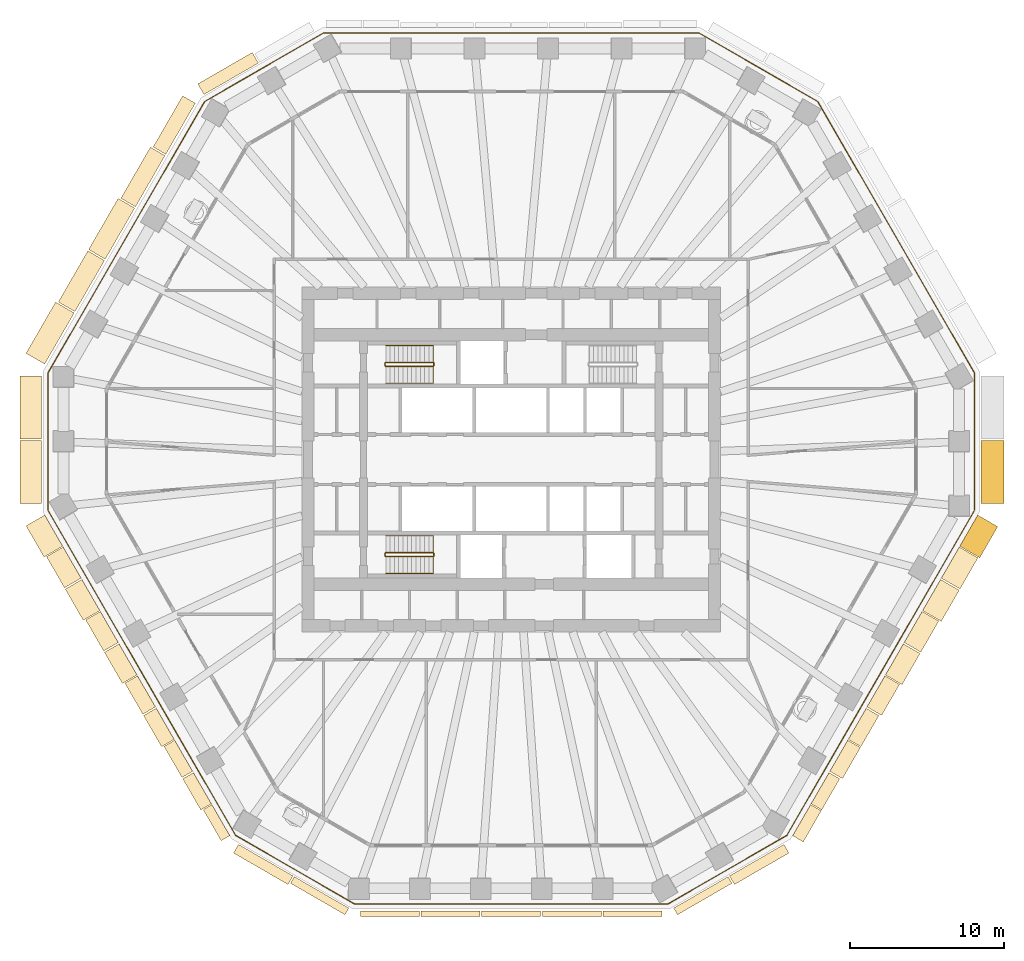
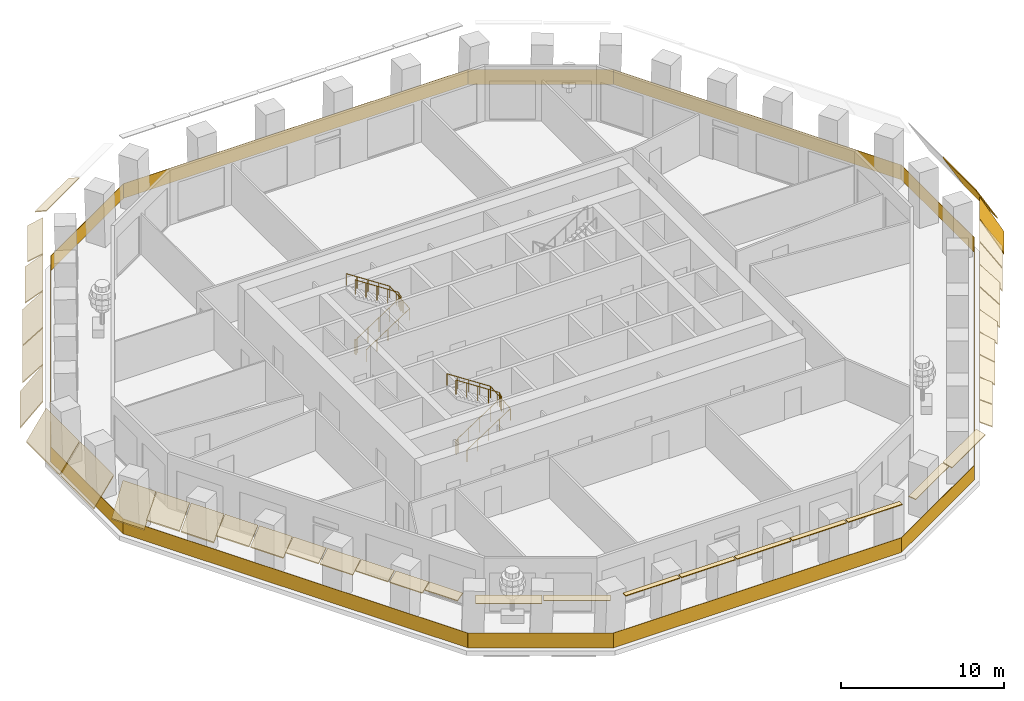
# One storey, part 10 of 13: 38 coverings, 5 railings.
"""IFC4 building model written with IfcOpenShell, lengths in metres."""

from ifc_helpers import new_model, si_unit, direction, frame, origin, origin_2d, place, context, subcontext, project, spatial, polyline, rectangle, circle, outline, extrude, material, layer, layer_set, type_object, element, save


model = new_model("IFC4")

# Units and contexts
model_context = context("Model", 3, precision=1e-05, world=origin(), true_north=direction((0.0, 1.0)))
body_context = subcontext(model_context, "Body", "Model", "MODEL_VIEW")
ifc_project = project(units=[si_unit("LENGTHUNIT", "METRE"), si_unit("AREAUNIT", "SQUARE_METRE"), si_unit("VOLUMEUNIT", "CUBIC_METRE"), si_unit("PLANEANGLEUNIT", "RADIAN"), si_unit("MASSUNIT", "GRAM", prefix="KILO")], contexts=[model_context])

# Site, building, storey
site_placement = place(None, origin())
site = spatial("IfcSite", under=ifc_project, at=site_placement, CompositionType="ELEMENT")
building_placement = place(site_placement, origin())
building = spatial("IfcBuilding", under=site, at=building_placement, Name="Frailejon Research Tower", CompositionType="ELEMENT")
storey_placement = place(building_placement, frame((0.0, 0.0, 117.60009765625)))
storey = spatial("IfcBuildingStorey", under=building, at=storey_placement, Name="L25", CompositionType="ELEMENT", Elevation=117.60009765625)

# Coverings
ifc_material_1 = material(Name="Precast concrete C50/60", Category="concrete")
ifc_layer_1 = layer(ifc_material_1, 0.06005859375)
ifc_layer_set_1 = layer_set([ifc_layer_1], Name="Brim blade depth 1100")
covering_type_1 = type_object("IfcCoveringType", Name="Brim blade depth 1100", PredefinedType="CLADDING", material=ifc_layer_set_1)
covering_1_placement = place(storey_placement, frame((-24.405029296875, 16.418701171875, 4.25), z_axis=(0.499989508112, 0.866031461194, 0.0), x_axis=(-0.866031461194, 0.499989508112, 0.0)))
element("IfcCovering", 1, at=covering_1_placement, inside=storey, type_object=covering_type_1, Name="Brim blade L25", PredefinedType="CLADDING", context=body_context, shape_type="SweptSolid", body=[
    extrude(outline(polyline([(0.0, -0.078369140625), (1.10009765625, -1.001220703125), (1.10009765625, -0.923095703125), (0.0, 0.0), (0.0, -0.078369140625)])), origin(), (0.0, 0.0, 1.0), 3.8330078125),
])
for number, where, z_axis, x_axis, name in (
    (2, (-25.5244140625, -11.890380859375, 4.25), (-0.500000242028, 0.866025264049, 0.0), (-0.866025264049, -0.500000242028, 0.0), "Brim blade L25"),
    (3, (-24.306884765625, -13.9990234375, 4.25), (-0.500009207024, 0.866020088041, 0.0), (-0.866020088041, -0.500009207024, 0.0), "Brim blade L25"),
    (4, (24.277099609375, -14.051025390625, 4.25), (-0.500009207024, -0.866020088041, 0.0), (0.866020088041, -0.500009207024, 0.0), "Brim blade L25"),
):
    element("IfcCovering", number, at=place(storey_placement, frame(where, z_axis=z_axis, x_axis=x_axis)), inside=storey, type_object=covering_type_1, Name=name, PredefinedType="CLADDING", context=body_context, shape_type="SweptSolid", body=[
        extrude(outline(polyline([(0.0, -0.078369140625), (1.10009765625, -1.001220703125), (1.10009765625, -0.923095703125), (0.0, 0.0), (0.0, -0.078369140625)])), origin(), (0.0, 0.0, 1.0), 2.3349609375),
    ])
ifc_material_2 = material(Name="Precast concrete C50/60", Category="concrete")
ifc_layer_2 = layer(ifc_material_2, 0.06005859375)
ifc_layer_set_2 = layer_set([ifc_layer_2], Name="Brim blade depth 1250")
covering_type_2 = type_object("IfcCoveringType", Name="Brim blade depth 1250", PredefinedType="CLADDING", material=ifc_layer_set_2)
for number, where, z_axis, x_axis, name in (
    (5, (-26.37158203125, 13.0126953125, 4.25), (0.500008578094, 0.866020451163, 0.0), (-0.866020451163, 0.500008578094, 0.0), "Brim blade L25"),
    (6, (-28.337890625, 9.606689453125, 4.25), (0.499997567955, 0.866026807922, 0.0), (-0.866026807922, 0.499997567955, 0.0), "Brim blade L25"),
):
    element("IfcCovering", number, at=place(storey_placement, frame(where, z_axis=z_axis, x_axis=x_axis)), inside=storey, type_object=covering_type_2, Name=name, PredefinedType="CLADDING", context=body_context, shape_type="SweptSolid", body=[
        extrude(outline(polyline([(0.0, -0.0888671875), (1.25, -1.452880859375), (1.25, -1.364013671875), (0.0, 0.0), (0.0, -0.0888671875)])), origin(), (0.0, 0.0, 1.0), 3.8330078125),
    ])
for number, where, z_axis, x_axis, name in (
    (7, (-27.939453125, -7.70751953125, 4.25), (-0.499984713992, 0.866034228986, 0.0), (-0.866034228986, -0.499984713992, 0.0), "Brim blade L25"),
    (8, (-26.721923828125, -9.816162109375, 4.25), (-0.500000242028, 0.866025264049, 0.0), (-0.866025264049, -0.500000242028, 0.0), "Brim blade L25"),
    (9, (25.474609375, -11.976806640625, 4.25), (-0.500009207024, -0.866020088041, 0.0), (0.866020088041, -0.500009207024, 0.0), "Brim blade L25"),
    (10, (26.69189453125, -9.8681640625, 4.25), (-0.500000242028, -0.866025264049, 0.0), (0.866025264049, -0.500000242028, 0.0), "Brim blade L25"),
):
    element("IfcCovering", number, at=place(storey_placement, frame(where, z_axis=z_axis, x_axis=x_axis)), inside=storey, type_object=covering_type_2, Name=name, PredefinedType="CLADDING", context=body_context, shape_type="SweptSolid", body=[
        extrude(outline(polyline([(0.0, -0.0888671875), (1.25, -1.452880859375), (1.25, -1.364013671875), (0.0, 0.0), (0.0, -0.0888671875)])), origin(), (0.0, 0.0, 1.0), 2.3349609375),
    ])
ifc_material_3 = material(Name="Precast concrete C50/60", Category="concrete")
ifc_layer_3 = layer(ifc_material_3, 0.06005859375)
ifc_layer_set_3 = layer_set([ifc_layer_3], Name="Brim blade depth 1400")
covering_type_3 = type_object("IfcCoveringType", Name="Brim blade depth 1400", PredefinedType="CLADDING", material=ifc_layer_set_3)
covering_2_placement = place(storey_placement, frame((-30.304443359375, 6.20068359375, 4.25), z_axis=(0.499989508112, 0.866031461194, 0.0), x_axis=(-0.866031461194, 0.499989508112, 0.0)))
element("IfcCovering", 11, at=covering_2_placement, inside=storey, type_object=covering_type_3, Name="Brim blade L25", PredefinedType="CLADDING", context=body_context, shape_type="SweptSolid", body=[
    extrude(outline(polyline([(0.0, -0.1044921875), (1.39990234375, -2.10400390625), (1.39990234375, -1.99951171875), (0.0, 0.0), (0.0, -0.1044921875)])), origin(), (0.0, 0.0, 1.0), 3.8330078125),
])
covering_3_placement = place(storey_placement, frame((-30.51025390625, 1.3447265625, 4.25), z_axis=(0.0, 1.0, 0.0), x_axis=(-1.0, 0.0, 0.0)))
element("IfcCovering", 12, at=covering_3_placement, inside=storey, type_object=covering_type_3, Name="Brim blade L25", PredefinedType="CLADDING", context=body_context, shape_type="SweptSolid", body=[
    extrude(outline(polyline([(0.0, -0.1044921875), (1.39990234375, -2.10400390625), (1.39990234375, -1.99951171875), (0.0, 0.0), (0.0, -0.1044921875)])), origin(), (0.0, 0.0, 1.0), 4.08740234375),
])
covering_4_placement = place(storey_placement, frame((-30.51025390625, -2.8427734375, 4.25), z_axis=(0.0, 1.0, 0.0), x_axis=(-1.0, 0.0, 0.0)))
element("IfcCovering", 13, at=covering_4_placement, inside=storey, type_object=covering_type_3, Name="Brim blade L25", PredefinedType="CLADDING", context=body_context, shape_type="SweptSolid", body=[
    extrude(outline(polyline([(0.0, -0.1044921875), (1.39990234375, -2.10400390625), (1.39990234375, -1.99951171875), (0.0, 0.0), (0.0, -0.1044921875)])), origin(), (0.0, 0.0, 1.0), 4.087646484375),
])
for number, where, z_axis, x_axis, name in (
    (14, (-29.136962890625, -5.63330078125, 4.25), (-0.499984713992, 0.866034228986, 0.0), (-0.866034228986, -0.499984713992, 0.0), "Brim blade L25"),
    (15, (27.889404296875, -7.7939453125, 4.25), (-0.500000242028, -0.866025264049, 0.0), (0.866025264049, -0.500000242028, 0.0), "Brim blade L25"),
    (16, (29.10693359375, -5.685302734375, 4.25), (-0.499984713992, -0.866034228986, 0.0), (0.866034228986, -0.499984713992, 0.0), "Brim blade L25"),
):
    element("IfcCovering", number, at=place(storey_placement, frame(where, z_axis=z_axis, x_axis=x_axis)), inside=storey, type_object=covering_type_3, Name=name, PredefinedType="CLADDING", context=body_context, shape_type="SweptSolid", body=[
        extrude(outline(polyline([(0.0, -0.1044921875), (1.39990234375, -2.10400390625), (1.39990234375, -1.99951171875), (0.0, 0.0), (0.0, -0.1044921875)])), origin(), (0.0, 0.0, 1.0), 2.3349609375),
    ])
ifc_material_4 = material(Name="Precast concrete C50/60", Category="concrete")
ifc_layer_4 = layer(ifc_material_4, 0.06005859375)
ifc_layer_set_4 = layer_set([ifc_layer_4], Name="Brim blade depth 1500")
covering_type_4 = type_object("IfcCoveringType", Name="Brim blade depth 1500", PredefinedType="CLADDING", material=ifc_layer_set_4)
covering_5_placement = place(storey_placement, frame((30.51025390625, 1.244873046875, 4.25), z_axis=(0.0, -1.0, 0.0), x_axis=(1.0, 0.0, 0.0)))
element("IfcCovering", 17, at=covering_5_placement, inside=storey, type_object=covering_type_4, Name="Brim blade L25", PredefinedType="CLADDING", context=body_context, shape_type="SweptSolid", body=[
    extrude(outline(polyline([(0.0, -0.1201171875), (1.5, -2.718017578125), (1.5, -2.59814453125), (0.0, 0.0), (0.0, -0.1201171875)])), origin(), (0.0, 0.0, 1.0), 4.087646484375),
])
covering_6_placement = place(storey_placement, frame((30.304443359375, -3.611083984375, 4.25), z_axis=(-0.499984713992, -0.866034228986, 0.0), x_axis=(0.866034228986, -0.499984713992, 0.0)))
element("IfcCovering", 18, at=covering_6_placement, inside=storey, type_object=covering_type_4, Name="Brim blade L25", PredefinedType="CLADDING", context=body_context, shape_type="SweptSolid", body=[
    extrude(outline(polyline([(0.0, -0.1201171875), (1.5, -2.718017578125), (1.5, -2.59814453125), (0.0, 0.0), (0.0, -0.1201171875)])), origin(), (0.0, 0.0, 1.0), 2.3349609375),
])
ifc_material_5 = material(Name="Precast concrete C50/60", Category="concrete")
ifc_layer_5 = layer(ifc_material_5, 0.06005859375)
ifc_layer_set_5 = layer_set([ifc_layer_5], Name="Brim blade depth 350")
covering_type_5 = type_object("IfcCoveringType", Name="Brim blade depth 350", PredefinedType="CLADDING", material=ifc_layer_set_5)
for number, where, z_axis, x_axis, name in (
    (19, (-5.949462890625, -29.3447265625, 4.25), (-1.0, 0.0, 0.0), (0.0, -1.0, 0.0), "Brim blade L25"),
    (20, (-2.0166015625, -29.3447265625, 4.25), (-1.0, 0.0, 0.0), (0.0, -1.0, 0.0), "Brim blade L25"),
    (21, (1.91650390625, -29.3447265625, 4.25), (-1.0, 0.0, 0.0), (0.0, -1.0, 0.0), "Brim blade L25"),
    (22, (5.849365234375, -29.3447265625, 4.25), (-1.0, 0.0, 0.0), (0.0, -1.0, 0.0), "Brim blade L25"),
    (23, (9.7822265625, -29.3447265625, 4.25), (-1.0, 0.0, 0.0), (0.0, -1.0, 0.0), "Brim blade L25"),
):
    element("IfcCovering", number, at=place(storey_placement, frame(where, z_axis=z_axis, x_axis=x_axis)), inside=storey, type_object=covering_type_5, Name=name, PredefinedType="CLADDING", context=body_context, shape_type="SweptSolid", body=[
        extrude(outline(polyline([(0.0, -0.06005859375), (0.35009765625, -0.06005859375), (0.35009765625, 0.0), (0.0, 0.0), (0.0, -0.06005859375)])), origin(), (0.0, 0.0, 1.0), 3.8330078125),
    ])
ifc_material_6 = material(Name="Precast concrete C50/60", Category="concrete")
ifc_layer_6 = layer(ifc_material_6, 0.06005859375)
ifc_layer_set_6 = layer_set([ifc_layer_6], Name="Brim blade depth 500")
covering_type_6 = type_object("IfcCoveringType", Name="Brim blade depth 500", PredefinedType="CLADDING", material=ifc_layer_set_6)
for number, where, z_axis, x_axis, name in (
    (24, (-10.550537109375, -29.138916015625, 4.25), (-0.866027315287, 0.499996689166, 0.0), (-0.499996689166, -0.866027315287, 0.0), "Brim blade L25"),
    (25, (14.090576171875, -27.09521484375, 4.25), (-0.866027315287, -0.499996689166, 0.0), (0.499996689166, -0.866027315287, 0.0), "Brim blade L25"),
):
    element("IfcCovering", number, at=place(storey_placement, frame(where, z_axis=z_axis, x_axis=x_axis)), inside=storey, type_object=covering_type_6, Name=name, PredefinedType="CLADDING", context=body_context, shape_type="SweptSolid", body=[
        extrude(outline(polyline([(0.0, -0.060546875), (0.5, -0.130859375), (0.5, -0.0703125), (0.0, 0.0), (0.0, -0.060546875)])), origin(), (0.0, 0.0, 1.0), 4.087646484375),
    ])
ifc_material_7 = material(Name="Precast concrete C50/60", Category="concrete")
ifc_layer_7 = layer(ifc_material_7, 0.06005859375)
ifc_layer_set_7 = layer_set([ifc_layer_7], Name="Brim blade depth 650")
covering_type_7 = type_object("IfcCoveringType", Name="Brim blade depth 650", PredefinedType="CLADDING", material=ifc_layer_set_7)
covering_7_placement = place(storey_placement, frame((-18.279541015625, -24.43896484375, 4.25), z_axis=(-0.500000242028, 0.866025264049, 0.0), x_axis=(-0.866025264049, -0.500000242028, 0.0)))
element("IfcCovering", 26, at=covering_7_placement, inside=storey, type_object=covering_type_7, Name="Brim blade L25", PredefinedType="CLADDING", context=body_context, shape_type="SweptSolid", body=[
    extrude(outline(polyline([(0.0, -0.0625), (0.64990234375, -0.248779296875), (0.64990234375, -0.186279296875), (0.0, 0.0), (0.0, -0.0625)])), origin(), (0.0, 0.0, 1.0), 2.3349609375),
])
for number, where, z_axis, x_axis, name in (
    (27, (-14.17724609375, -27.045166015625, 4.25), (-0.866021344981, 0.500007029989, 0.0), (-0.500007029989, -0.866021344981, 0.0), "Brim blade L25"),
    (28, (17.717041015625, -25.001220703125, 4.25), (-0.866021344981, -0.500007029989, 0.0), (0.500007029989, -0.866021344981, 0.0), "Brim blade L25"),
):
    element("IfcCovering", number, at=place(storey_placement, frame(where, z_axis=z_axis, x_axis=x_axis)), inside=storey, type_object=covering_type_7, Name=name, PredefinedType="CLADDING", context=body_context, shape_type="SweptSolid", body=[
        extrude(outline(polyline([(0.0, -0.0625), (0.64990234375, -0.248779296875), (0.64990234375, -0.186279296875), (0.0, 0.0), (0.0, -0.0625)])), origin(), (0.0, 0.0, 1.0), 4.08740234375),
    ])
ifc_material_8 = material(Name="Precast concrete C50/60", Category="concrete")
ifc_layer_8 = layer(ifc_material_8, 0.06005859375)
ifc_layer_set_8 = layer_set([ifc_layer_8], Name="Brim blade depth 800")
covering_type_8 = type_object("IfcCoveringType", Name="Brim blade depth 800", PredefinedType="CLADDING", material=ifc_layer_set_8)
covering_8_placement = place(storey_placement, frame((-19.959716796875, 23.70654296875, 4.25), z_axis=(0.866021344981, 0.500007029989, 0.0), x_axis=(-0.500007029989, 0.866021344981, 0.0)))
element("IfcCovering", 29, at=covering_8_placement, inside=storey, type_object=covering_type_8, Name="Brim blade L25", PredefinedType="CLADDING", context=body_context, shape_type="SweptSolid", body=[
    extrude(outline(polyline([(0.0, -0.065673828125), (0.800048828125, -0.421875), (0.800048828125, -0.356201171875), (0.0, 0.0), (0.0, -0.065673828125)])), origin(), (0.0, 0.0, 1.0), 4.08740234375),
])
for number, where, z_axis, x_axis, name in (
    (30, (-20.694580078125, -20.256103515625, 4.25), (-0.500000242028, 0.866025264049, 0.0), (-0.866025264049, -0.500000242028, 0.0), "Brim blade L25"),
    (31, (-19.47705078125, -22.36474609375, 4.25), (-0.500000242028, 0.866025264049, 0.0), (-0.866025264049, -0.500000242028, 0.0), "Brim blade L25"),
    (32, (19.447021484375, -22.416748046875, 4.25), (-0.500000242028, -0.866025264049, 0.0), (0.866025264049, -0.500000242028, 0.0), "Brim blade L25"),
    (33, (20.64453125, -20.342529296875, 4.25), (-0.500000242028, -0.866025264049, 0.0), (0.866025264049, -0.500000242028, 0.0), "Brim blade L25"),
):
    element("IfcCovering", number, at=place(storey_placement, frame(where, z_axis=z_axis, x_axis=x_axis)), inside=storey, type_object=covering_type_8, Name=name, PredefinedType="CLADDING", context=body_context, shape_type="SweptSolid", body=[
        extrude(outline(polyline([(0.0, -0.065673828125), (0.800048828125, -0.421875), (0.800048828125, -0.356201171875), (0.0, 0.0), (0.0, -0.065673828125)])), origin(), (0.0, 0.0, 1.0), 2.3349609375),
    ])
ifc_material_9 = material(Name="Precast concrete C50/60", Category="concrete")
ifc_layer_9 = layer(ifc_material_9, 0.06005859375)
ifc_layer_set_9 = layer_set([ifc_layer_9], Name="Brim blade depth 950")
covering_type_9 = type_object("IfcCoveringType", Name="Brim blade depth 950", PredefinedType="CLADDING", material=ifc_layer_set_9)
covering_9_placement = place(storey_placement, frame((-22.438720703125, 19.82470703125, 4.25), z_axis=(0.500008578094, 0.866020451163, 0.0), x_axis=(-0.866020451163, 0.500008578094, 0.0)))
element("IfcCovering", 34, at=covering_9_placement, inside=storey, type_object=covering_type_9, Name="Brim blade L25", PredefinedType="CLADDING", context=body_context, shape_type="SweptSolid", body=[
    extrude(outline(polyline([(0.0, -0.07080078125), (0.949951171875, -0.664306640625), (0.949951171875, -0.593505859375), (0.0, 0.0), (0.0, -0.07080078125)])), origin(), (0.0, 0.0, 1.0), 3.8330078125),
])
for number, where, z_axis, x_axis, name in (
    (35, (-23.109619140625, -16.072998046875, 4.25), (-0.500009207024, 0.866020088041, 0.0), (-0.866020088041, -0.500009207024, 0.0), "Brim blade L25"),
    (36, (-21.89208984375, -18.181884765625, 4.25), (-0.500000242028, 0.866025264049, 0.0), (-0.866025264049, -0.500000242028, 0.0), "Brim blade L25"),
    (37, (21.862060546875, -18.23388671875, 4.25), (-0.500000242028, -0.866025264049, 0.0), (0.866025264049, -0.500000242028, 0.0), "Brim blade L25"),
    (38, (23.0595703125, -16.15966796875, 4.25), (-0.500000242028, -0.866025264049, 0.0), (0.866025264049, -0.500000242028, 0.0), "Brim blade L25"),
):
    element("IfcCovering", number, at=place(storey_placement, frame(where, z_axis=z_axis, x_axis=x_axis)), inside=storey, type_object=covering_type_9, Name=name, PredefinedType="CLADDING", context=body_context, shape_type="SweptSolid", body=[
        extrude(outline(polyline([(0.0, -0.07080078125), (0.949951171875, -0.664306640625), (0.949951171875, -0.593505859375), (0.0, 0.0), (0.0, -0.07080078125)])), origin(), (0.0, 0.0, 1.0), 2.3349609375),
    ])

# Railings
ifc_material_10 = material(Name="Laminated glass balustrade", Category="glass")
railing_type_1 = type_object("IfcRailingType", Name="Glass guard 1100", PredefinedType="GUARDRAIL", material=ifc_material_10)
railing_1_placement = place(storey_placement, frame((30.09521484375, -3.302978515625, 0.0)))
element("IfcRailing", 39, at=railing_1_placement, inside=storey, type_object=railing_type_1, Name="Loggia guard L25", PredefinedType="GUARDRAIL", context=body_context, shape_type="SweptSolid", body=[
    extrude(rectangle(XDim=8.9189453125, YDim=0.030029296875, at=origin_2d()), frame((0.0, 4.45947265625, 0.0), z_axis=(0.0, 0.0, 1.0), x_axis=(0.0, 1.0, 0.0)), (0.0, 0.0, 1.0), 1.10009765625),
    extrude(rectangle(XDim=20.3681640625, YDim=0.030029296875, at=origin_2d()), frame((-5.092041015625, 17.73876953125, 0.0), z_axis=(0.0, 0.0, 1.0), x_axis=(-0.499998792681, 0.866026100829, 0.0)), (0.0, 0.0, 1.0), 1.10009765625),
    extrude(rectangle(XDim=8.918701171875, YDim=0.030029296875, at=origin_2d()), frame((-14.0458984375, 28.7880859375, 0.0), z_axis=(0.0, 0.0, 1.0), x_axis=(-0.866032876802, 0.49998705613, 0.0)), (0.0, 0.0, 1.0), 1.10009765625),
    extrude(rectangle(XDim=24.37451171875, YDim=0.030029296875, at=origin_2d()), frame((-30.09521484375, 31.017578125, 0.0), z_axis=(0.0, 0.0, 1.0), x_axis=(-1.0, 0.0, 0.0)), (0.0, 0.0, 1.0), 1.10009765625),
    extrude(rectangle(XDim=8.918701171875, YDim=0.030029296875, at=origin_2d()), frame((-46.14453125, 28.7880859375, 0.0), z_axis=(0.0, 0.0, 1.0), x_axis=(-0.866032876802, -0.49998705613, 0.0)), (0.0, 0.0, 1.0), 1.10009765625),
    extrude(rectangle(XDim=20.3681640625, YDim=0.030029296875, at=origin_2d()), frame((-55.098388671875, 17.73876953125, 0.0), z_axis=(0.0, 0.0, 1.0), x_axis=(-0.499998792681, -0.866026100829, 0.0)), (0.0, 0.0, 1.0), 1.10009765625),
    extrude(rectangle(XDim=8.9189453125, YDim=0.030029296875, at=origin_2d()), frame((-60.1904296875, 4.45947265625, 0.0), z_axis=(0.0, 0.0, 1.0), x_axis=(0.0, -1.0, 0.0)), (0.0, 0.0, 1.0), 1.10009765625),
    extrude(rectangle(XDim=24.3740234375, YDim=0.030029296875, at=origin_2d()), frame((-54.096923828125, -10.55419921875, 0.0), z_axis=(0.0, 0.0, 1.0), x_axis=(0.499997884355, -0.866026625249, 0.0)), (0.0, 0.0, 1.0), 1.10009765625),
    extrude(rectangle(XDim=8.9189453125, YDim=0.030029296875, at=origin_2d()), frame((-44.141357421875, -23.33837890625, 0.0), z_axis=(0.0, 0.0, 1.0), x_axis=(0.866027866997, -0.499995733566, 0.0)), (0.0, 0.0, 1.0), 1.10009765625),
    extrude(rectangle(XDim=20.3681640625, YDim=0.030029296875, at=origin_2d()), frame((-30.09521484375, -25.568115234375, 0.0), z_axis=(0.0, 0.0, 1.0), x_axis=(1.0, 0.0, 0.0)), (0.0, 0.0, 1.0), 1.10009765625),
    extrude(rectangle(XDim=8.9189453125, YDim=0.030029296875, at=origin_2d()), frame((-16.049072265625, -23.33837890625, 0.0), z_axis=(0.0, 0.0, 1.0), x_axis=(0.866027866997, 0.499995733566, 0.0)), (0.0, 0.0, 1.0), 1.10009765625),
    extrude(rectangle(XDim=24.30419921875, YDim=0.030029296875, at=origin_2d()), frame((-6.11083984375, -10.58447265625, 0.0), z_axis=(0.0, 0.0, 1.0), x_axis=(0.49999925597, 0.86602583335, 0.0)), (0.0, 0.0, 1.0), 1.10009765625),
])
ifc_material_11 = material(Name="Stainless steel", Category="steel")
railing_type_2 = type_object("IfcRailingType", Name="Stair guard 1100", PredefinedType="GUARDRAIL", material=ifc_material_11)
railing_2_placement = place(storey_placement, frame((-8.199951171875, 6.25, 0.0)))
element("IfcRailing", 40, at=railing_2_placement, inside=storey, type_object=railing_type_2, Name="L25 ST1 stair guard 1", PredefinedType="GUARDRAIL", context=body_context, shape_type="SweptSolid", body=[
    extrude(circle(Radius=0.02392578125, at=origin_2d()), frame((0.0, 0.0, 1.076171875), z_axis=(0.0, -1.0, 0.0), x_axis=(1.0, 0.0, 0.0)), (0.0, 0.0, 1.0), 0.14990234375),
    extrude(circle(Radius=0.02392578125, at=origin_2d()), frame((0.0, -0.14990234375, 1.076171875), z_axis=(0.254653276557, -0.254653276557, 0.932900539971), x_axis=(0.707106781187, 0.707106781187, 0.0)), (0.0, 0.0, 1.0), 0.196533203125),
    extrude(circle(Radius=0.02392578125, at=origin_2d()), frame((0.050048828125, -0.199951171875, 1.25927734375), z_axis=(0.836613101238, 0.0, 0.547794230379), x_axis=(0.0, 1.0, 0.0)), (0.0, 0.0, 1.0), 3.681396484375),
    extrude(circle(Radius=0.02392578125, at=origin_2d()), frame((3.1298828125, -0.199951171875, 3.27587890625), z_axis=(0.707106781187, 0.707106781187, 0.0), x_axis=(-0.707106781187, 0.707106781187, 0.0)), (0.0, 0.0, 1.0), 0.07080078125),
    extrude(circle(Radius=0.02392578125, at=origin_2d()), frame((3.179931640625, -0.14990234375, 3.27587890625), z_axis=(0.0, 1.0, 0.0), x_axis=(-1.0, 0.0, 0.0)), (0.0, 0.0, 1.0), 0.14990234375),
    extrude(circle(Radius=0.02392578125, at=origin_2d()), frame((3.179931640625, 0.0, 3.27587890625), z_axis=(-0.254653276557, 0.254653276557, 0.932900539971), x_axis=(-0.707106781187, -0.707106781187, 0.0)), (0.0, 0.0, 1.0), 0.196533203125),
    extrude(circle(Radius=0.02392578125, at=origin_2d()), frame((3.1298828125, 0.050048828125, 3.45947265625), z_axis=(-0.836613101238, 0.0, 0.547794230379), x_axis=(0.0, -1.0, 0.0)), (0.0, 0.0, 1.0), 3.681396484375),
    extrude(circle(Radius=0.02099609375, at=origin_2d()), origin(), (0.0, 0.0, 1.0), 1.052001953125),
    extrude(circle(Radius=0.02099609375, at=origin_2d()), frame((0.0, -0.14990234375, 0.0)), (0.0, 0.0, 1.0), 1.052001953125),
    extrude(circle(Radius=0.02099609375, at=origin_2d()), frame((0.050048828125, -0.199951171875, 0.183349609375)), (0.0, 0.0, 1.0), 1.052001953125),
    extrude(circle(Radius=0.02099609375, at=origin_2d()), frame((0.820068359375, -0.199951171875, 0.6875)), (0.0, 0.0, 1.0), 1.052001953125),
    extrude(circle(Radius=0.02099609375, at=origin_2d()), frame((1.58984375, -0.199951171875, 1.191650390625)), (0.0, 0.0, 1.0), 1.052001953125),
    extrude(circle(Radius=0.02099609375, at=origin_2d()), frame((2.35986328125, -0.199951171875, 1.69580078125)), (0.0, 0.0, 1.0), 1.052001953125),
    extrude(circle(Radius=0.02099609375, at=origin_2d()), frame((3.1298828125, -0.199951171875, 2.199951171875)), (0.0, 0.0, 1.0), 1.052001953125),
    extrude(circle(Radius=0.02099609375, at=origin_2d()), frame((3.179931640625, -0.14990234375, 2.199951171875)), (0.0, 0.0, 1.0), 1.052001953125),
    extrude(circle(Radius=0.02099609375, at=origin_2d()), frame((3.179931640625, 0.0, 2.199951171875)), (0.0, 0.0, 1.0), 1.052001953125),
    extrude(circle(Radius=0.02099609375, at=origin_2d()), frame((3.1298828125, 0.050048828125, 2.38330078125)), (0.0, 0.0, 1.0), 1.052001953125),
    extrude(circle(Radius=0.02099609375, at=origin_2d()), frame((2.35986328125, 0.050048828125, 2.887451171875)), (0.0, 0.0, 1.0), 1.052001953125),
    extrude(circle(Radius=0.02099609375, at=origin_2d()), frame((1.58984375, 0.050048828125, 3.3916015625)), (0.0, 0.0, 1.0), 1.052001953125),
    extrude(circle(Radius=0.02099609375, at=origin_2d()), frame((0.820068359375, 0.050048828125, 3.895751953125)), (0.0, 0.0, 1.0), 1.052001953125),
    extrude(circle(Radius=0.02099609375, at=origin_2d()), frame((0.050048828125, 0.050048828125, 4.39990234375)), (0.0, 0.0, 1.0), 1.052001953125),
])
railing_3_placement = place(storey_placement, frame((-8.199951171875, -6.10009765625, 0.0)))
element("IfcRailing", 41, at=railing_3_placement, inside=storey, type_object=railing_type_2, Name="L25 ST2 stair guard 1", PredefinedType="GUARDRAIL", context=body_context, shape_type="SweptSolid", body=[
    extrude(circle(Radius=0.02392578125, at=origin_2d()), frame((0.0, 0.0, 1.076171875), z_axis=(0.0, -1.0, 0.0), x_axis=(1.0, 0.0, 0.0)), (0.0, 0.0, 1.0), 0.14990234375),
    extrude(circle(Radius=0.02392578125, at=origin_2d()), frame((0.0, -0.14990234375, 1.076171875), z_axis=(0.254653276557, -0.254653276557, 0.932900539971), x_axis=(0.707106781187, 0.707106781187, 0.0)), (0.0, 0.0, 1.0), 0.196533203125),
    extrude(circle(Radius=0.02392578125, at=origin_2d()), frame((0.050048828125, -0.199951171875, 1.25927734375), z_axis=(0.836613101238, 0.0, 0.547794230379), x_axis=(0.0, 1.0, 0.0)), (0.0, 0.0, 1.0), 3.681396484375),
    extrude(circle(Radius=0.02392578125, at=origin_2d()), frame((3.1298828125, -0.199951171875, 3.27587890625), z_axis=(0.707106781187, 0.707106781187, 0.0), x_axis=(-0.707106781187, 0.707106781187, 0.0)), (0.0, 0.0, 1.0), 0.07080078125),
    extrude(circle(Radius=0.02392578125, at=origin_2d()), frame((3.179931640625, -0.14990234375, 3.27587890625), z_axis=(0.0, 1.0, 0.0), x_axis=(-1.0, 0.0, 0.0)), (0.0, 0.0, 1.0), 0.14990234375),
    extrude(circle(Radius=0.02392578125, at=origin_2d()), frame((3.179931640625, 0.0, 3.27587890625), z_axis=(-0.254653276557, 0.254653276557, 0.932900539971), x_axis=(-0.707106781187, -0.707106781187, 0.0)), (0.0, 0.0, 1.0), 0.196533203125),
    extrude(circle(Radius=0.02392578125, at=origin_2d()), frame((3.1298828125, 0.050048828125, 3.45947265625), z_axis=(-0.836613101238, 0.0, 0.547794230379), x_axis=(0.0, -1.0, 0.0)), (0.0, 0.0, 1.0), 3.681396484375),
    extrude(circle(Radius=0.02099609375, at=origin_2d()), origin(), (0.0, 0.0, 1.0), 1.052001953125),
    extrude(circle(Radius=0.02099609375, at=origin_2d()), frame((0.0, -0.14990234375, 0.0)), (0.0, 0.0, 1.0), 1.052001953125),
    extrude(circle(Radius=0.02099609375, at=origin_2d()), frame((0.050048828125, -0.199951171875, 0.183349609375)), (0.0, 0.0, 1.0), 1.052001953125),
    extrude(circle(Radius=0.02099609375, at=origin_2d()), frame((0.820068359375, -0.199951171875, 0.6875)), (0.0, 0.0, 1.0), 1.052001953125),
    extrude(circle(Radius=0.02099609375, at=origin_2d()), frame((1.58984375, -0.199951171875, 1.191650390625)), (0.0, 0.0, 1.0), 1.052001953125),
    extrude(circle(Radius=0.02099609375, at=origin_2d()), frame((2.35986328125, -0.199951171875, 1.69580078125)), (0.0, 0.0, 1.0), 1.052001953125),
    extrude(circle(Radius=0.02099609375, at=origin_2d()), frame((3.1298828125, -0.199951171875, 2.199951171875)), (0.0, 0.0, 1.0), 1.052001953125),
    extrude(circle(Radius=0.02099609375, at=origin_2d()), frame((3.179931640625, -0.14990234375, 2.199951171875)), (0.0, 0.0, 1.0), 1.052001953125),
    extrude(circle(Radius=0.02099609375, at=origin_2d()), frame((3.179931640625, 0.0, 2.199951171875)), (0.0, 0.0, 1.0), 1.052001953125),
    extrude(circle(Radius=0.02099609375, at=origin_2d()), frame((3.1298828125, 0.050048828125, 2.38330078125)), (0.0, 0.0, 1.0), 1.052001953125),
    extrude(circle(Radius=0.02099609375, at=origin_2d()), frame((2.35986328125, 0.050048828125, 2.887451171875)), (0.0, 0.0, 1.0), 1.052001953125),
    extrude(circle(Radius=0.02099609375, at=origin_2d()), frame((1.58984375, 0.050048828125, 3.3916015625)), (0.0, 0.0, 1.0), 1.052001953125),
    extrude(circle(Radius=0.02099609375, at=origin_2d()), frame((0.820068359375, 0.050048828125, 3.895751953125)), (0.0, 0.0, 1.0), 1.052001953125),
    extrude(circle(Radius=0.02099609375, at=origin_2d()), frame((0.050048828125, 0.050048828125, 4.39990234375)), (0.0, 0.0, 1.0), 1.052001953125),
])
ifc_material_12 = material(Name="Stainless steel", Category="steel")
railing_type_3 = type_object("IfcRailingType", Name="Stair handrail 900", PredefinedType="HANDRAIL", material=ifc_material_12)
railing_4_placement = place(storey_placement, frame((-8.14990234375, 4.949951171875, 0.183349609375)))
element("IfcRailing", 42, at=railing_4_placement, inside=storey, type_object=railing_type_3, Name="L25 ST1 stair handrail 1", PredefinedType="HANDRAIL", context=body_context, shape_type="SweptSolid", body=[
    extrude(circle(Radius=0.02392578125, at=origin_2d()), frame((0.0, 0.0, 0.8759765625), z_axis=(0.836613101238, 0.0, 0.547794230379), x_axis=(0.0, 1.0, 0.0)), (0.0, 0.0, 1.0), 3.681396484375),
    extrude(circle(Radius=0.02392578125, at=origin_2d()), frame((3.079833984375, 0.0, 2.892578125), z_axis=(0.0, 0.99721134034, 0.074629368868), x_axis=(-1.0, 0.0, 0.0)), (0.0, 0.0, 1.0), 2.456787109375),
    extrude(circle(Radius=0.02392578125, at=origin_2d()), frame((3.079833984375, 2.449951171875, 3.07568359375), z_axis=(-0.836613101238, 0.0, 0.547794230379), x_axis=(0.0, -1.0, 0.0)), (0.0, 0.0, 1.0), 3.681396484375),
    extrude(circle(Radius=0.02099609375, at=origin_2d()), origin(), (0.0, 0.0, 1.0), 0.851806640625),
    extrude(circle(Radius=0.02099609375, at=origin_2d()), frame((0.77001953125, 0.0, 0.504150390625)), (0.0, 0.0, 1.0), 0.851806640625),
    extrude(circle(Radius=0.02099609375, at=origin_2d()), frame((1.5400390625, 0.0, 1.00830078125)), (0.0, 0.0, 1.0), 0.851806640625),
    extrude(circle(Radius=0.02099609375, at=origin_2d()), frame((2.309814453125, 0.0, 1.512451171875)), (0.0, 0.0, 1.0), 0.851806640625),
    extrude(circle(Radius=0.02099609375, at=origin_2d()), frame((3.079833984375, 0.0, 2.0166015625)), (0.0, 0.0, 1.0), 0.851806640625),
    extrude(circle(Radius=0.02099609375, at=origin_2d()), frame((3.079833984375, 0.816650390625, 2.07763671875)), (0.0, 0.0, 1.0), 0.851806640625),
    extrude(circle(Radius=0.02099609375, at=origin_2d()), frame((3.079833984375, 1.63330078125, 2.138916015625)), (0.0, 0.0, 1.0), 0.851806640625),
    extrude(circle(Radius=0.02099609375, at=origin_2d()), frame((3.079833984375, 2.449951171875, 2.199951171875)), (0.0, 0.0, 1.0), 0.851806640625),
    extrude(circle(Radius=0.02099609375, at=origin_2d()), frame((2.309814453125, 2.449951171875, 2.7041015625)), (0.0, 0.0, 1.0), 0.851806640625),
    extrude(circle(Radius=0.02099609375, at=origin_2d()), frame((1.5400390625, 2.449951171875, 3.208251953125)), (0.0, 0.0, 1.0), 0.851806640625),
    extrude(circle(Radius=0.02099609375, at=origin_2d()), frame((0.77001953125, 2.449951171875, 3.71240234375)), (0.0, 0.0, 1.0), 0.851806640625),
    extrude(circle(Radius=0.02099609375, at=origin_2d()), frame((0.0, 2.449951171875, 4.216552734375)), (0.0, 0.0, 1.0), 0.851806640625),
])
railing_5_placement = place(storey_placement, frame((-8.14990234375, -7.39990234375, 0.183349609375)))
element("IfcRailing", 43, at=railing_5_placement, inside=storey, type_object=railing_type_3, Name="L25 ST2 stair handrail 1", PredefinedType="HANDRAIL", context=body_context, shape_type="SweptSolid", body=[
    extrude(circle(Radius=0.02392578125, at=origin_2d()), frame((0.0, 0.0, 0.8759765625), z_axis=(0.836613101238, 0.0, 0.547794230379), x_axis=(0.0, 1.0, 0.0)), (0.0, 0.0, 1.0), 3.681396484375),
    extrude(circle(Radius=0.02392578125, at=origin_2d()), frame((3.079833984375, 0.0, 2.892578125), z_axis=(0.0, 0.99721134034, 0.074629368868), x_axis=(-1.0, 0.0, 0.0)), (0.0, 0.0, 1.0), 2.456787109375),
    extrude(circle(Radius=0.02392578125, at=origin_2d()), frame((3.079833984375, 2.449951171875, 3.07568359375), z_axis=(-0.836613101238, 0.0, 0.547794230379), x_axis=(0.0, -1.0, 0.0)), (0.0, 0.0, 1.0), 3.681396484375),
    extrude(circle(Radius=0.02099609375, at=origin_2d()), origin(), (0.0, 0.0, 1.0), 0.851806640625),
    extrude(circle(Radius=0.02099609375, at=origin_2d()), frame((0.77001953125, 0.0, 0.504150390625)), (0.0, 0.0, 1.0), 0.851806640625),
    extrude(circle(Radius=0.02099609375, at=origin_2d()), frame((1.5400390625, 0.0, 1.00830078125)), (0.0, 0.0, 1.0), 0.851806640625),
    extrude(circle(Radius=0.02099609375, at=origin_2d()), frame((2.309814453125, 0.0, 1.512451171875)), (0.0, 0.0, 1.0), 0.851806640625),
    extrude(circle(Radius=0.02099609375, at=origin_2d()), frame((3.079833984375, 0.0, 2.0166015625)), (0.0, 0.0, 1.0), 0.851806640625),
    extrude(circle(Radius=0.02099609375, at=origin_2d()), frame((3.079833984375, 0.816650390625, 2.07763671875)), (0.0, 0.0, 1.0), 0.851806640625),
    extrude(circle(Radius=0.02099609375, at=origin_2d()), frame((3.079833984375, 1.63330078125, 2.138916015625)), (0.0, 0.0, 1.0), 0.851806640625),
    extrude(circle(Radius=0.02099609375, at=origin_2d()), frame((3.079833984375, 2.449951171875, 2.199951171875)), (0.0, 0.0, 1.0), 0.851806640625),
    extrude(circle(Radius=0.02099609375, at=origin_2d()), frame((2.309814453125, 2.449951171875, 2.7041015625)), (0.0, 0.0, 1.0), 0.851806640625),
    extrude(circle(Radius=0.02099609375, at=origin_2d()), frame((1.5400390625, 2.449951171875, 3.208251953125)), (0.0, 0.0, 1.0), 0.851806640625),
    extrude(circle(Radius=0.02099609375, at=origin_2d()), frame((0.77001953125, 2.449951171875, 3.71240234375)), (0.0, 0.0, 1.0), 0.851806640625),
    extrude(circle(Radius=0.02099609375, at=origin_2d()), frame((0.0, 2.449951171875, 4.216552734375)), (0.0, 0.0, 1.0), 0.851806640625),
])

save(model, "model.ifc")
